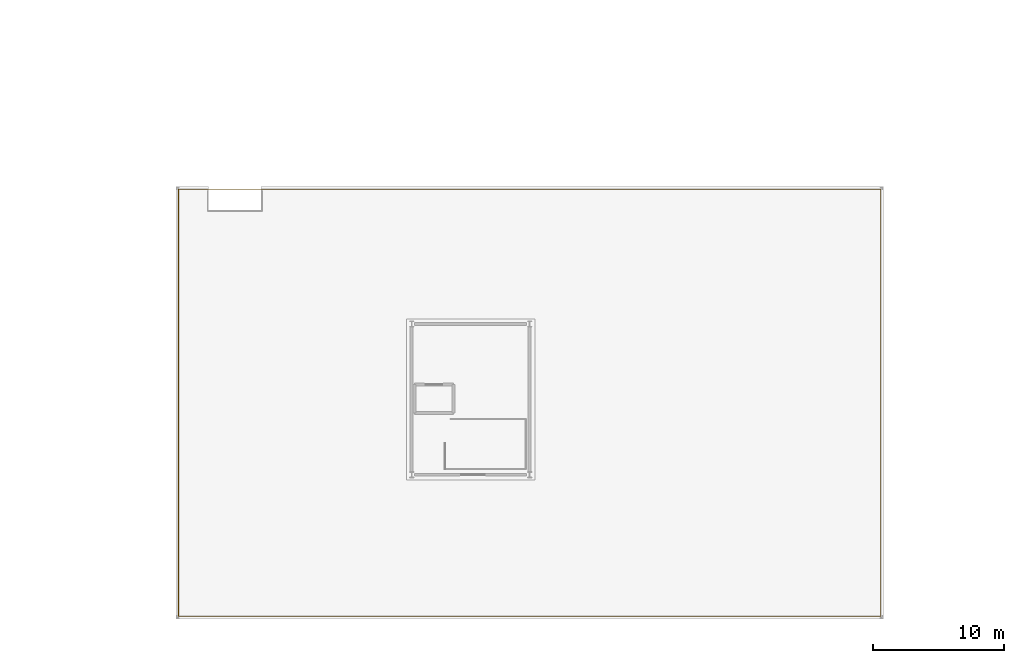
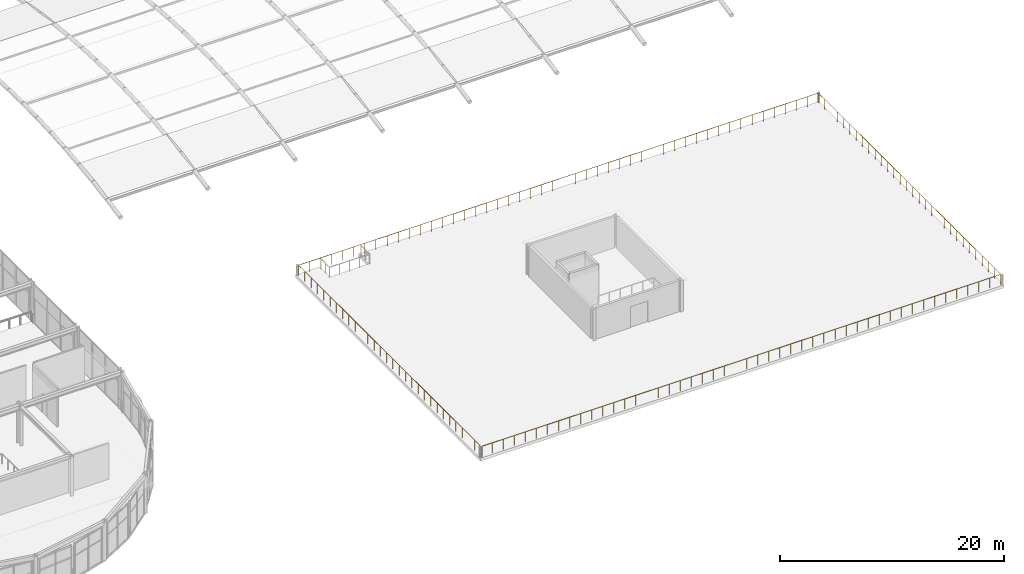
# One storey, part 98 of 105: 1 railing.
"""IFC4 building model written with IfcOpenShell, lengths in metres."""

from ifc_helpers import new_model, si_unit, direction, frame, origin, origin_2d, place, context, subcontext, project, spatial, circle, extrude, material, type_object, element, save


model = new_model("IFC4")

# Units and contexts
model_context = context("Model", 3, precision=1e-05, world=origin(), true_north=direction((0.0, 1.0)))
body_context = subcontext(model_context, "Body", "Model", "MODEL_VIEW")
ifc_project = project(units=[si_unit("LENGTHUNIT", "METRE"), si_unit("AREAUNIT", "SQUARE_METRE"), si_unit("VOLUMEUNIT", "CUBIC_METRE"), si_unit("PLANEANGLEUNIT", "RADIAN"), si_unit("MASSUNIT", "GRAM", prefix="KILO")], contexts=[model_context])

# Site, building, storey
site_placement = place(None, origin())
site = spatial("IfcSite", under=ifc_project, at=site_placement, CompositionType="ELEMENT")
building_placement = place(site_placement, origin())
building = spatial("IfcBuilding", under=site, at=building_placement, Name="Marlcrest Central Station", CompositionType="ELEMENT")
storey_placement = place(building_placement, frame((0.0, 0.0, 15.0)))
storey = spatial("IfcBuildingStorey", under=building, at=storey_placement, Name="L03", CompositionType="ELEMENT", Elevation=15.0)

# Railing
ifc_material = material(Name="Galvanized painted steel balustrade", Category="steel")
railing_type = type_object("IfcRailingType", Name="GR-01", PredefinedType="GUARDRAIL", material=ifc_material)
railing_placement = place(storey_placement, frame((153.199951171875, 0.199951171875, 0.0)))
element("IfcRailing", 1, at=railing_placement, inside=storey, type_object=railing_type, Name="grd-L03-0001", PredefinedType="GUARDRAIL", context=body_context, shape_type="SweptSolid", body=[
    extrude(circle(Radius=0.02392578125, at=origin_2d()), frame((0.0, 0.0, 1.09619140625), z_axis=(1.0, 0.0, 0.0), x_axis=(0.0, 1.0, 0.0)), (0.0, 0.0, 1.0), 53.60009765625),
    extrude(circle(Radius=0.02392578125, at=origin_2d()), frame((53.60009765625, 0.0, 1.09619140625), z_axis=(0.0, 1.0, 0.0), x_axis=(-1.0, 0.0, 0.0)), (0.0, 0.0, 1.0), 32.60009765625),
    extrude(circle(Radius=0.02392578125, at=origin_2d()), frame((53.60009765625, 32.60009765625, 1.09619140625), z_axis=(-1.0, 0.0, 0.0), x_axis=(0.0, -1.0, 0.0)), (0.0, 0.0, 1.0), 53.60009765625),
    extrude(circle(Radius=0.02392578125, at=origin_2d()), frame((0.0, 32.60009765625, 1.09619140625), z_axis=(0.0, -1.0, 0.0), x_axis=(1.0, 0.0, 0.0)), (0.0, 0.0, 1.0), 32.60009765625),
    extrude(circle(Radius=0.02099609375, at=origin_2d()), origin(), (0.0, 0.0, 1.0), 1.072021484375),
    extrude(circle(Radius=0.02099609375, at=origin_2d()), frame((1.140380859375, 0.0, 0.0)), (0.0, 0.0, 1.0), 1.072021484375),
    extrude(circle(Radius=0.02099609375, at=origin_2d()), frame((2.28076171875, 0.0, 0.0)), (0.0, 0.0, 1.0), 1.072021484375),
    extrude(circle(Radius=0.02099609375, at=origin_2d()), frame((3.42138671875, 0.0, 0.0)), (0.0, 0.0, 1.0), 1.072021484375),
    extrude(circle(Radius=0.02099609375, at=origin_2d()), frame((4.561767578125, 0.0, 0.0)), (0.0, 0.0, 1.0), 1.072021484375),
    extrude(circle(Radius=0.02099609375, at=origin_2d()), frame((5.7021484375, 0.0, 0.0)), (0.0, 0.0, 1.0), 1.072021484375),
    extrude(circle(Radius=0.02099609375, at=origin_2d()), frame((6.842529296875, 0.0, 0.0)), (0.0, 0.0, 1.0), 1.072021484375),
    extrude(circle(Radius=0.02099609375, at=origin_2d()), frame((7.98291015625, 0.0, 0.0)), (0.0, 0.0, 1.0), 1.072021484375),
    extrude(circle(Radius=0.02099609375, at=origin_2d()), frame((9.12353515625, 0.0, 0.0)), (0.0, 0.0, 1.0), 1.072021484375),
    extrude(circle(Radius=0.02099609375, at=origin_2d()), frame((10.263916015625, 0.0, 0.0)), (0.0, 0.0, 1.0), 1.072021484375),
    extrude(circle(Radius=0.02099609375, at=origin_2d()), frame((11.404296875, 0.0, 0.0)), (0.0, 0.0, 1.0), 1.072021484375),
    extrude(circle(Radius=0.02099609375, at=origin_2d()), frame((12.544677734375, 0.0, 0.0)), (0.0, 0.0, 1.0), 1.072021484375),
    extrude(circle(Radius=0.02099609375, at=origin_2d()), frame((13.68505859375, 0.0, 0.0)), (0.0, 0.0, 1.0), 1.072021484375),
    extrude(circle(Radius=0.02099609375, at=origin_2d()), frame((14.825439453125, 0.0, 0.0)), (0.0, 0.0, 1.0), 1.072021484375),
    extrude(circle(Radius=0.02099609375, at=origin_2d()), frame((15.966064453125, 0.0, 0.0)), (0.0, 0.0, 1.0), 1.072021484375),
    extrude(circle(Radius=0.02099609375, at=origin_2d()), frame((17.1064453125, 0.0, 0.0)), (0.0, 0.0, 1.0), 1.072021484375),
    extrude(circle(Radius=0.02099609375, at=origin_2d()), frame((18.246826171875, 0.0, 0.0)), (0.0, 0.0, 1.0), 1.072021484375),
    extrude(circle(Radius=0.02099609375, at=origin_2d()), frame((19.38720703125, 0.0, 0.0)), (0.0, 0.0, 1.0), 1.072021484375),
    extrude(circle(Radius=0.02099609375, at=origin_2d()), frame((20.527587890625, 0.0, 0.0)), (0.0, 0.0, 1.0), 1.072021484375),
    extrude(circle(Radius=0.02099609375, at=origin_2d()), frame((21.668212890625, 0.0, 0.0)), (0.0, 0.0, 1.0), 1.072021484375),
    extrude(circle(Radius=0.02099609375, at=origin_2d()), frame((22.80859375, 0.0, 0.0)), (0.0, 0.0, 1.0), 1.072021484375),
    extrude(circle(Radius=0.02099609375, at=origin_2d()), frame((23.948974609375, 0.0, 0.0)), (0.0, 0.0, 1.0), 1.072021484375),
    extrude(circle(Radius=0.02099609375, at=origin_2d()), frame((25.08935546875, 0.0, 0.0)), (0.0, 0.0, 1.0), 1.072021484375),
    extrude(circle(Radius=0.02099609375, at=origin_2d()), frame((26.229736328125, 0.0, 0.0)), (0.0, 0.0, 1.0), 1.072021484375),
    extrude(circle(Radius=0.02099609375, at=origin_2d()), frame((27.370361328125, 0.0, 0.0)), (0.0, 0.0, 1.0), 1.072021484375),
    extrude(circle(Radius=0.02099609375, at=origin_2d()), frame((28.5107421875, 0.0, 0.0)), (0.0, 0.0, 1.0), 1.072021484375),
    extrude(circle(Radius=0.02099609375, at=origin_2d()), frame((29.651123046875, 0.0, 0.0)), (0.0, 0.0, 1.0), 1.072021484375),
    extrude(circle(Radius=0.02099609375, at=origin_2d()), frame((30.79150390625, 0.0, 0.0)), (0.0, 0.0, 1.0), 1.072021484375),
    extrude(circle(Radius=0.02099609375, at=origin_2d()), frame((31.931884765625, 0.0, 0.0)), (0.0, 0.0, 1.0), 1.072021484375),
    extrude(circle(Radius=0.02099609375, at=origin_2d()), frame((33.072509765625, 0.0, 0.0)), (0.0, 0.0, 1.0), 1.072021484375),
    extrude(circle(Radius=0.02099609375, at=origin_2d()), frame((34.212890625, 0.0, 0.0)), (0.0, 0.0, 1.0), 1.072021484375),
    extrude(circle(Radius=0.02099609375, at=origin_2d()), frame((35.353271484375, 0.0, 0.0)), (0.0, 0.0, 1.0), 1.072021484375),
    extrude(circle(Radius=0.02099609375, at=origin_2d()), frame((36.49365234375, 0.0, 0.0)), (0.0, 0.0, 1.0), 1.072021484375),
    extrude(circle(Radius=0.02099609375, at=origin_2d()), frame((37.634033203125, 0.0, 0.0)), (0.0, 0.0, 1.0), 1.072021484375),
    extrude(circle(Radius=0.02099609375, at=origin_2d()), frame((38.774658203125, 0.0, 0.0)), (0.0, 0.0, 1.0), 1.072021484375),
    extrude(circle(Radius=0.02099609375, at=origin_2d()), frame((39.9150390625, 0.0, 0.0)), (0.0, 0.0, 1.0), 1.072021484375),
    extrude(circle(Radius=0.02099609375, at=origin_2d()), frame((41.055419921875, 0.0, 0.0)), (0.0, 0.0, 1.0), 1.072021484375),
    extrude(circle(Radius=0.02099609375, at=origin_2d()), frame((42.19580078125, 0.0, 0.0)), (0.0, 0.0, 1.0), 1.072021484375),
    extrude(circle(Radius=0.02099609375, at=origin_2d()), frame((43.336181640625, 0.0, 0.0)), (0.0, 0.0, 1.0), 1.072021484375),
    extrude(circle(Radius=0.02099609375, at=origin_2d()), frame((44.4765625, 0.0, 0.0)), (0.0, 0.0, 1.0), 1.072021484375),
    extrude(circle(Radius=0.02099609375, at=origin_2d()), frame((45.6171875, 0.0, 0.0)), (0.0, 0.0, 1.0), 1.072021484375),
    extrude(circle(Radius=0.02099609375, at=origin_2d()), frame((46.757568359375, 0.0, 0.0)), (0.0, 0.0, 1.0), 1.072021484375),
    extrude(circle(Radius=0.02099609375, at=origin_2d()), frame((47.89794921875, 0.0, 0.0)), (0.0, 0.0, 1.0), 1.072021484375),
    extrude(circle(Radius=0.02099609375, at=origin_2d()), frame((49.038330078125, 0.0, 0.0)), (0.0, 0.0, 1.0), 1.072021484375),
    extrude(circle(Radius=0.02099609375, at=origin_2d()), frame((50.1787109375, 0.0, 0.0)), (0.0, 0.0, 1.0), 1.072021484375),
    extrude(circle(Radius=0.02099609375, at=origin_2d()), frame((51.3193359375, 0.0, 0.0)), (0.0, 0.0, 1.0), 1.072021484375),
    extrude(circle(Radius=0.02099609375, at=origin_2d()), frame((52.459716796875, 0.0, 0.0)), (0.0, 0.0, 1.0), 1.072021484375),
    extrude(circle(Radius=0.02099609375, at=origin_2d()), frame((53.60009765625, 0.0, 0.0)), (0.0, 0.0, 1.0), 1.072021484375),
    extrude(circle(Radius=0.02099609375, at=origin_2d()), frame((53.60009765625, 1.1240234375, 0.0)), (0.0, 0.0, 1.0), 1.072021484375),
    extrude(circle(Radius=0.02099609375, at=origin_2d()), frame((53.60009765625, 2.248291015625, 0.0)), (0.0, 0.0, 1.0), 1.072021484375),
    extrude(circle(Radius=0.02099609375, at=origin_2d()), frame((53.60009765625, 3.372314453125, 0.0)), (0.0, 0.0, 1.0), 1.072021484375),
    extrude(circle(Radius=0.02099609375, at=origin_2d()), frame((53.60009765625, 4.49658203125, 0.0)), (0.0, 0.0, 1.0), 1.072021484375),
    extrude(circle(Radius=0.02099609375, at=origin_2d()), frame((53.60009765625, 5.62060546875, 0.0)), (0.0, 0.0, 1.0), 1.072021484375),
    extrude(circle(Radius=0.02099609375, at=origin_2d()), frame((53.60009765625, 6.744873046875, 0.0)), (0.0, 0.0, 1.0), 1.072021484375),
    extrude(circle(Radius=0.02099609375, at=origin_2d()), frame((53.60009765625, 7.868896484375, 0.0)), (0.0, 0.0, 1.0), 1.072021484375),
    extrude(circle(Radius=0.02099609375, at=origin_2d()), frame((53.60009765625, 8.9931640625, 0.0)), (0.0, 0.0, 1.0), 1.072021484375),
    extrude(circle(Radius=0.02099609375, at=origin_2d()), frame((53.60009765625, 10.1171875, 0.0)), (0.0, 0.0, 1.0), 1.072021484375),
    extrude(circle(Radius=0.02099609375, at=origin_2d()), frame((53.60009765625, 11.241455078125, 0.0)), (0.0, 0.0, 1.0), 1.072021484375),
    extrude(circle(Radius=0.02099609375, at=origin_2d()), frame((53.60009765625, 12.365478515625, 0.0)), (0.0, 0.0, 1.0), 1.072021484375),
    extrude(circle(Radius=0.02099609375, at=origin_2d()), frame((53.60009765625, 13.48974609375, 0.0)), (0.0, 0.0, 1.0), 1.072021484375),
    extrude(circle(Radius=0.02099609375, at=origin_2d()), frame((53.60009765625, 14.61376953125, 0.0)), (0.0, 0.0, 1.0), 1.072021484375),
    extrude(circle(Radius=0.02099609375, at=origin_2d()), frame((53.60009765625, 15.738037109375, 0.0)), (0.0, 0.0, 1.0), 1.072021484375),
    extrude(circle(Radius=0.02099609375, at=origin_2d()), frame((53.60009765625, 16.862060546875, 0.0)), (0.0, 0.0, 1.0), 1.072021484375),
    extrude(circle(Radius=0.02099609375, at=origin_2d()), frame((53.60009765625, 17.986328125, 0.0)), (0.0, 0.0, 1.0), 1.072021484375),
    extrude(circle(Radius=0.02099609375, at=origin_2d()), frame((53.60009765625, 19.1103515625, 0.0)), (0.0, 0.0, 1.0), 1.072021484375),
    extrude(circle(Radius=0.02099609375, at=origin_2d()), frame((53.60009765625, 20.234619140625, 0.0)), (0.0, 0.0, 1.0), 1.072021484375),
    extrude(circle(Radius=0.02099609375, at=origin_2d()), frame((53.60009765625, 21.358642578125, 0.0)), (0.0, 0.0, 1.0), 1.072021484375),
    extrude(circle(Radius=0.02099609375, at=origin_2d()), frame((53.60009765625, 22.48291015625, 0.0)), (0.0, 0.0, 1.0), 1.072021484375),
    extrude(circle(Radius=0.02099609375, at=origin_2d()), frame((53.60009765625, 23.60693359375, 0.0)), (0.0, 0.0, 1.0), 1.072021484375),
    extrude(circle(Radius=0.02099609375, at=origin_2d()), frame((53.60009765625, 24.731201171875, 0.0)), (0.0, 0.0, 1.0), 1.072021484375),
    extrude(circle(Radius=0.02099609375, at=origin_2d()), frame((53.60009765625, 25.855224609375, 0.0)), (0.0, 0.0, 1.0), 1.072021484375),
    extrude(circle(Radius=0.02099609375, at=origin_2d()), frame((53.60009765625, 26.9794921875, 0.0)), (0.0, 0.0, 1.0), 1.072021484375),
    extrude(circle(Radius=0.02099609375, at=origin_2d()), frame((53.60009765625, 28.103515625, 0.0)), (0.0, 0.0, 1.0), 1.072021484375),
    extrude(circle(Radius=0.02099609375, at=origin_2d()), frame((53.60009765625, 29.227783203125, 0.0)), (0.0, 0.0, 1.0), 1.072021484375),
    extrude(circle(Radius=0.02099609375, at=origin_2d()), frame((53.60009765625, 30.351806640625, 0.0)), (0.0, 0.0, 1.0), 1.072021484375),
    extrude(circle(Radius=0.02099609375, at=origin_2d()), frame((53.60009765625, 31.47607421875, 0.0)), (0.0, 0.0, 1.0), 1.072021484375),
    extrude(circle(Radius=0.02099609375, at=origin_2d()), frame((53.60009765625, 32.60009765625, 0.0)), (0.0, 0.0, 1.0), 1.072021484375),
    extrude(circle(Radius=0.02099609375, at=origin_2d()), frame((52.459716796875, 32.60009765625, 0.0)), (0.0, 0.0, 1.0), 1.072021484375),
    extrude(circle(Radius=0.02099609375, at=origin_2d()), frame((51.3193359375, 32.60009765625, 0.0)), (0.0, 0.0, 1.0), 1.072021484375),
    extrude(circle(Radius=0.02099609375, at=origin_2d()), frame((50.1787109375, 32.60009765625, 0.0)), (0.0, 0.0, 1.0), 1.072021484375),
    extrude(circle(Radius=0.02099609375, at=origin_2d()), frame((49.038330078125, 32.60009765625, 0.0)), (0.0, 0.0, 1.0), 1.072021484375),
    extrude(circle(Radius=0.02099609375, at=origin_2d()), frame((47.89794921875, 32.60009765625, 0.0)), (0.0, 0.0, 1.0), 1.072021484375),
    extrude(circle(Radius=0.02099609375, at=origin_2d()), frame((46.757568359375, 32.60009765625, 0.0)), (0.0, 0.0, 1.0), 1.072021484375),
    extrude(circle(Radius=0.02099609375, at=origin_2d()), frame((45.6171875, 32.60009765625, 0.0)), (0.0, 0.0, 1.0), 1.072021484375),
    extrude(circle(Radius=0.02099609375, at=origin_2d()), frame((44.4765625, 32.60009765625, 0.0)), (0.0, 0.0, 1.0), 1.072021484375),
    extrude(circle(Radius=0.02099609375, at=origin_2d()), frame((43.336181640625, 32.60009765625, 0.0)), (0.0, 0.0, 1.0), 1.072021484375),
    extrude(circle(Radius=0.02099609375, at=origin_2d()), frame((42.19580078125, 32.60009765625, 0.0)), (0.0, 0.0, 1.0), 1.072021484375),
    extrude(circle(Radius=0.02099609375, at=origin_2d()), frame((41.055419921875, 32.60009765625, 0.0)), (0.0, 0.0, 1.0), 1.072021484375),
    extrude(circle(Radius=0.02099609375, at=origin_2d()), frame((39.9150390625, 32.60009765625, 0.0)), (0.0, 0.0, 1.0), 1.072021484375),
    extrude(circle(Radius=0.02099609375, at=origin_2d()), frame((38.774658203125, 32.60009765625, 0.0)), (0.0, 0.0, 1.0), 1.072021484375),
    extrude(circle(Radius=0.02099609375, at=origin_2d()), frame((37.634033203125, 32.60009765625, 0.0)), (0.0, 0.0, 1.0), 1.072021484375),
    extrude(circle(Radius=0.02099609375, at=origin_2d()), frame((36.49365234375, 32.60009765625, 0.0)), (0.0, 0.0, 1.0), 1.072021484375),
    extrude(circle(Radius=0.02099609375, at=origin_2d()), frame((35.353271484375, 32.60009765625, 0.0)), (0.0, 0.0, 1.0), 1.072021484375),
    extrude(circle(Radius=0.02099609375, at=origin_2d()), frame((34.212890625, 32.60009765625, 0.0)), (0.0, 0.0, 1.0), 1.072021484375),
    extrude(circle(Radius=0.02099609375, at=origin_2d()), frame((33.072509765625, 32.60009765625, 0.0)), (0.0, 0.0, 1.0), 1.072021484375),
    extrude(circle(Radius=0.02099609375, at=origin_2d()), frame((31.931884765625, 32.60009765625, 0.0)), (0.0, 0.0, 1.0), 1.072021484375),
    extrude(circle(Radius=0.02099609375, at=origin_2d()), frame((30.79150390625, 32.60009765625, 0.0)), (0.0, 0.0, 1.0), 1.072021484375),
    extrude(circle(Radius=0.02099609375, at=origin_2d()), frame((29.651123046875, 32.60009765625, 0.0)), (0.0, 0.0, 1.0), 1.072021484375),
    extrude(circle(Radius=0.02099609375, at=origin_2d()), frame((28.5107421875, 32.60009765625, 0.0)), (0.0, 0.0, 1.0), 1.072021484375),
    extrude(circle(Radius=0.02099609375, at=origin_2d()), frame((27.370361328125, 32.60009765625, 0.0)), (0.0, 0.0, 1.0), 1.072021484375),
    extrude(circle(Radius=0.02099609375, at=origin_2d()), frame((26.229736328125, 32.60009765625, 0.0)), (0.0, 0.0, 1.0), 1.072021484375),
    extrude(circle(Radius=0.02099609375, at=origin_2d()), frame((25.08935546875, 32.60009765625, 0.0)), (0.0, 0.0, 1.0), 1.072021484375),
    extrude(circle(Radius=0.02099609375, at=origin_2d()), frame((23.948974609375, 32.60009765625, 0.0)), (0.0, 0.0, 1.0), 1.072021484375),
    extrude(circle(Radius=0.02099609375, at=origin_2d()), frame((22.80859375, 32.60009765625, 0.0)), (0.0, 0.0, 1.0), 1.072021484375),
    extrude(circle(Radius=0.02099609375, at=origin_2d()), frame((21.668212890625, 32.60009765625, 0.0)), (0.0, 0.0, 1.0), 1.072021484375),
    extrude(circle(Radius=0.02099609375, at=origin_2d()), frame((20.527587890625, 32.60009765625, 0.0)), (0.0, 0.0, 1.0), 1.072021484375),
    extrude(circle(Radius=0.02099609375, at=origin_2d()), frame((19.38720703125, 32.60009765625, 0.0)), (0.0, 0.0, 1.0), 1.072021484375),
    extrude(circle(Radius=0.02099609375, at=origin_2d()), frame((18.246826171875, 32.60009765625, 0.0)), (0.0, 0.0, 1.0), 1.072021484375),
    extrude(circle(Radius=0.02099609375, at=origin_2d()), frame((17.1064453125, 32.60009765625, 0.0)), (0.0, 0.0, 1.0), 1.072021484375),
    extrude(circle(Radius=0.02099609375, at=origin_2d()), frame((15.966064453125, 32.60009765625, 0.0)), (0.0, 0.0, 1.0), 1.072021484375),
    extrude(circle(Radius=0.02099609375, at=origin_2d()), frame((14.825439453125, 32.60009765625, 0.0)), (0.0, 0.0, 1.0), 1.072021484375),
    extrude(circle(Radius=0.02099609375, at=origin_2d()), frame((13.68505859375, 32.60009765625, 0.0)), (0.0, 0.0, 1.0), 1.072021484375),
    extrude(circle(Radius=0.02099609375, at=origin_2d()), frame((12.544677734375, 32.60009765625, 0.0)), (0.0, 0.0, 1.0), 1.072021484375),
    extrude(circle(Radius=0.02099609375, at=origin_2d()), frame((11.404296875, 32.60009765625, 0.0)), (0.0, 0.0, 1.0), 1.072021484375),
    extrude(circle(Radius=0.02099609375, at=origin_2d()), frame((10.263916015625, 32.60009765625, 0.0)), (0.0, 0.0, 1.0), 1.072021484375),
    extrude(circle(Radius=0.02099609375, at=origin_2d()), frame((9.12353515625, 32.60009765625, 0.0)), (0.0, 0.0, 1.0), 1.072021484375),
    extrude(circle(Radius=0.02099609375, at=origin_2d()), frame((7.98291015625, 32.60009765625, 0.0)), (0.0, 0.0, 1.0), 1.072021484375),
    extrude(circle(Radius=0.02099609375, at=origin_2d()), frame((6.842529296875, 32.60009765625, 0.0)), (0.0, 0.0, 1.0), 1.072021484375),
    extrude(circle(Radius=0.02099609375, at=origin_2d()), frame((5.7021484375, 32.60009765625, 0.0)), (0.0, 0.0, 1.0), 1.072021484375),
    extrude(circle(Radius=0.02099609375, at=origin_2d()), frame((4.561767578125, 32.60009765625, 0.0)), (0.0, 0.0, 1.0), 1.072021484375),
    extrude(circle(Radius=0.02099609375, at=origin_2d()), frame((3.42138671875, 32.60009765625, 0.0)), (0.0, 0.0, 1.0), 1.072021484375),
    extrude(circle(Radius=0.02099609375, at=origin_2d()), frame((2.28076171875, 32.60009765625, 0.0)), (0.0, 0.0, 1.0), 1.072021484375),
    extrude(circle(Radius=0.02099609375, at=origin_2d()), frame((1.140380859375, 32.60009765625, 0.0)), (0.0, 0.0, 1.0), 1.072021484375),
    extrude(circle(Radius=0.02099609375, at=origin_2d()), frame((0.0, 32.60009765625, 0.0)), (0.0, 0.0, 1.0), 1.072021484375),
    extrude(circle(Radius=0.02099609375, at=origin_2d()), frame((0.0, 31.47607421875, 0.0)), (0.0, 0.0, 1.0), 1.072021484375),
    extrude(circle(Radius=0.02099609375, at=origin_2d()), frame((0.0, 30.351806640625, 0.0)), (0.0, 0.0, 1.0), 1.072021484375),
    extrude(circle(Radius=0.02099609375, at=origin_2d()), frame((0.0, 29.227783203125, 0.0)), (0.0, 0.0, 1.0), 1.072021484375),
    extrude(circle(Radius=0.02099609375, at=origin_2d()), frame((0.0, 28.103515625, 0.0)), (0.0, 0.0, 1.0), 1.072021484375),
    extrude(circle(Radius=0.02099609375, at=origin_2d()), frame((0.0, 26.9794921875, 0.0)), (0.0, 0.0, 1.0), 1.072021484375),
    extrude(circle(Radius=0.02099609375, at=origin_2d()), frame((0.0, 25.855224609375, 0.0)), (0.0, 0.0, 1.0), 1.072021484375),
    extrude(circle(Radius=0.02099609375, at=origin_2d()), frame((0.0, 24.731201171875, 0.0)), (0.0, 0.0, 1.0), 1.072021484375),
    extrude(circle(Radius=0.02099609375, at=origin_2d()), frame((0.0, 23.60693359375, 0.0)), (0.0, 0.0, 1.0), 1.072021484375),
    extrude(circle(Radius=0.02099609375, at=origin_2d()), frame((0.0, 22.48291015625, 0.0)), (0.0, 0.0, 1.0), 1.072021484375),
    extrude(circle(Radius=0.02099609375, at=origin_2d()), frame((0.0, 21.358642578125, 0.0)), (0.0, 0.0, 1.0), 1.072021484375),
    extrude(circle(Radius=0.02099609375, at=origin_2d()), frame((0.0, 20.234619140625, 0.0)), (0.0, 0.0, 1.0), 1.072021484375),
    extrude(circle(Radius=0.02099609375, at=origin_2d()), frame((0.0, 19.1103515625, 0.0)), (0.0, 0.0, 1.0), 1.072021484375),
    extrude(circle(Radius=0.02099609375, at=origin_2d()), frame((0.0, 17.986328125, 0.0)), (0.0, 0.0, 1.0), 1.072021484375),
    extrude(circle(Radius=0.02099609375, at=origin_2d()), frame((0.0, 16.862060546875, 0.0)), (0.0, 0.0, 1.0), 1.072021484375),
    extrude(circle(Radius=0.02099609375, at=origin_2d()), frame((0.0, 15.738037109375, 0.0)), (0.0, 0.0, 1.0), 1.072021484375),
    extrude(circle(Radius=0.02099609375, at=origin_2d()), frame((0.0, 14.61376953125, 0.0)), (0.0, 0.0, 1.0), 1.072021484375),
    extrude(circle(Radius=0.02099609375, at=origin_2d()), frame((0.0, 13.48974609375, 0.0)), (0.0, 0.0, 1.0), 1.072021484375),
    extrude(circle(Radius=0.02099609375, at=origin_2d()), frame((0.0, 12.365478515625, 0.0)), (0.0, 0.0, 1.0), 1.072021484375),
    extrude(circle(Radius=0.02099609375, at=origin_2d()), frame((0.0, 11.241455078125, 0.0)), (0.0, 0.0, 1.0), 1.072021484375),
    extrude(circle(Radius=0.02099609375, at=origin_2d()), frame((0.0, 10.1171875, 0.0)), (0.0, 0.0, 1.0), 1.072021484375),
    extrude(circle(Radius=0.02099609375, at=origin_2d()), frame((0.0, 8.9931640625, 0.0)), (0.0, 0.0, 1.0), 1.072021484375),
    extrude(circle(Radius=0.02099609375, at=origin_2d()), frame((0.0, 7.868896484375, 0.0)), (0.0, 0.0, 1.0), 1.072021484375),
    extrude(circle(Radius=0.02099609375, at=origin_2d()), frame((0.0, 6.744873046875, 0.0)), (0.0, 0.0, 1.0), 1.072021484375),
    extrude(circle(Radius=0.02099609375, at=origin_2d()), frame((0.0, 5.62060546875, 0.0)), (0.0, 0.0, 1.0), 1.072021484375),
    extrude(circle(Radius=0.02099609375, at=origin_2d()), frame((0.0, 4.49658203125, 0.0)), (0.0, 0.0, 1.0), 1.072021484375),
    extrude(circle(Radius=0.02099609375, at=origin_2d()), frame((0.0, 3.372314453125, 0.0)), (0.0, 0.0, 1.0), 1.072021484375),
    extrude(circle(Radius=0.02099609375, at=origin_2d()), frame((0.0, 2.248291015625, 0.0)), (0.0, 0.0, 1.0), 1.072021484375),
    extrude(circle(Radius=0.02099609375, at=origin_2d()), frame((0.0, 1.1240234375, 0.0)), (0.0, 0.0, 1.0), 1.072021484375),
])

save(model, "model.ifc")
